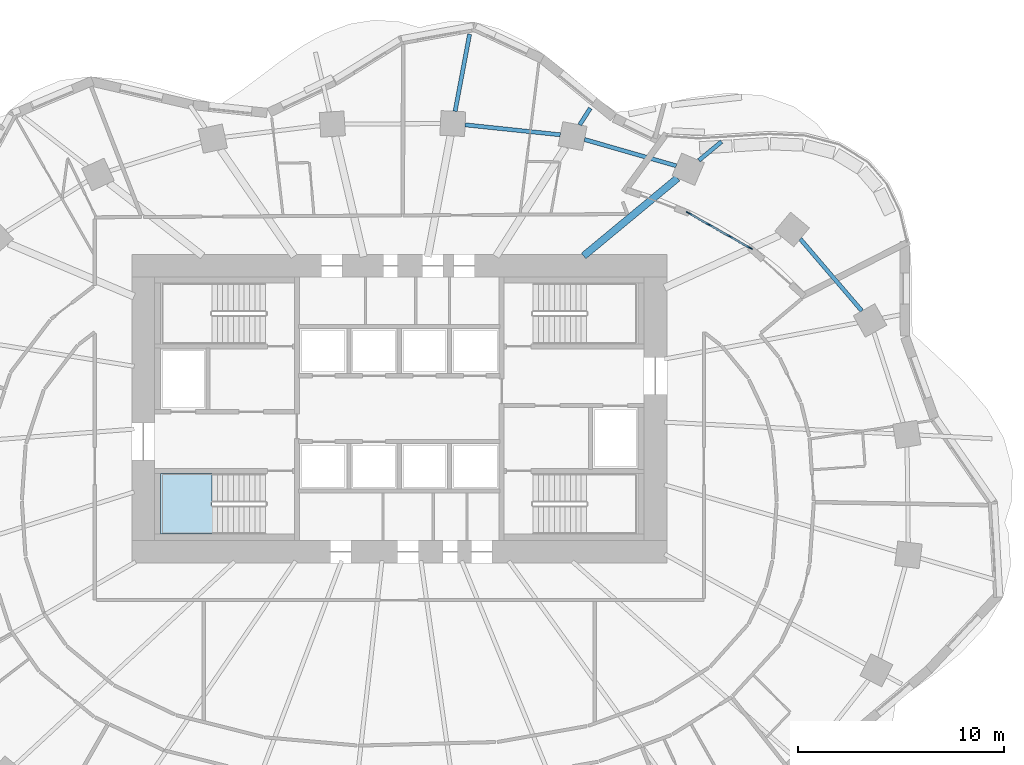
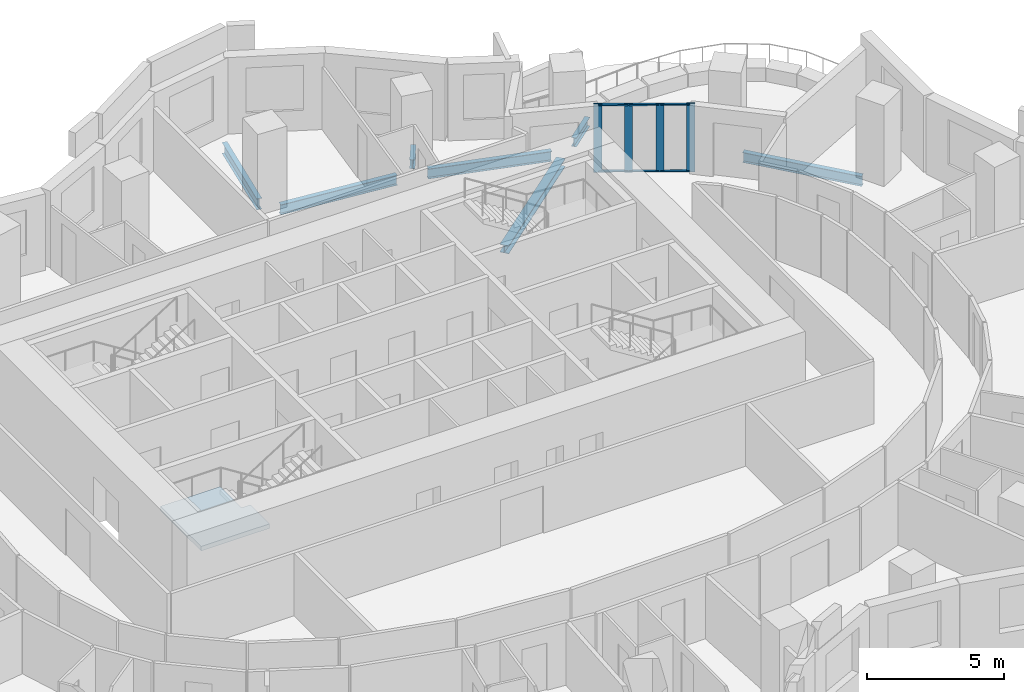
# One storey, part 3 of 14: 10 members, 7 beams, 1 slab, 2 elements without a shape of their own.
"""IFC4 building model written with IfcOpenShell, lengths in metres."""

import ifcopenshell
import ifcopenshell.guid

model = None  # the IFC model being written
_history = None  # IfcOwnerHistory: only IFC2X3 demands one
_inside = {}  # id of a spatial element -> (the spatial element, [elements in it])
_under = {}  # id of a project, library or spatial element -> (it, [spatial elements below it])
_declared = {}  # id of a project -> (the project, [libraries it declares])
_typed = {}  # id of a type object -> (the type object, [elements of that type])
_made_of = {}  # id of a material, layer set ... -> (it, [elements and type objects made of it])


def new_model(schema):
    """Start an empty IFC model of exactly this schema.

    Asked for "IFC4X3", IfcOpenShell would pick the latest addendum, in which some entities
    have other attributes; the version numbers below select the first issue.
    IFC2X3 requires an IfcOwnerHistory on every rooted entity: one is made here for all.
    """
    global model, _history
    if schema == "IFC4X3":
        model = ifcopenshell.file(schema_version=(4, 3, 0, 0))
    else:
        model = ifcopenshell.file(schema=schema)
    _inside.clear()
    _under.clear()
    _declared.clear()
    _typed.clear()
    _made_of.clear()
    _history = None
    if model.schema == "IFC2X3":
        org = make("IfcOrganization", Name="unknown")
        user = make(
            "IfcPersonAndOrganization",
            ThePerson=make("IfcPerson", FamilyName="unknown"),
            TheOrganization=org,
        )
        app = make(
            "IfcApplication",
            ApplicationDeveloper=org,
            Version="unknown",
            ApplicationFullName="unknown",
            ApplicationIdentifier="unknown",
        )
        _history = make(
            "IfcOwnerHistory",
            OwningUser=user,
            OwningApplication=app,
            ChangeAction="ADDED",
            CreationDate=0,
        )
    return model


def make(cls, **values):
    """One entity of the class cls with the attributes given. An attribute that is None is left unset."""
    return model.create_entity(
        cls, **{name: value for name, value in values.items() if value is not None}
    )


def rooted(cls, **values):
    """An entity with a GlobalId (a new one), such as an element, a storey or a relation."""
    return make(cls, GlobalId=ifcopenshell.guid.new(), OwnerHistory=_history, **values)


def si_unit(unit_type, name, prefix=None):
    """IfcSIUnit, for example si_unit("LENGTHUNIT", "METRE", prefix="MILLI")."""
    return make("IfcSIUnit", UnitType=unit_type, Prefix=prefix, Name=name)


def assignment(units):
    """IfcUnitAssignment: the units of a project."""
    return None if units is None else make("IfcUnitAssignment", Units=units)


def point(xyz):
    """IfcCartesianPoint."""
    return None if xyz is None else make("IfcCartesianPoint", Coordinates=xyz)


def direction(xyz):
    """IfcDirection."""
    return None if xyz is None else make("IfcDirection", DirectionRatios=xyz)


def frame(location, z_axis=None, x_axis=None):
    """IfcAxis2Placement3D, a coordinate frame: its origin and axes. An axis left out is left unset."""
    return make(
        "IfcAxis2Placement3D",
        Location=point(location),
        Axis=direction(z_axis),
        RefDirection=direction(x_axis),
    )


def frame_2d(location, x_axis=None):
    """IfcAxis2Placement2D, a coordinate frame in the plane: its origin and x axis."""
    return make(
        "IfcAxis2Placement2D", Location=point(location), RefDirection=direction(x_axis)
    )


def origin():
    """The frame at (0, 0, 0) with its axes left unset."""
    return frame((0.0, 0.0, 0.0))


def origin_2d():
    """The frame at (0, 0) in the plane with its x axis left unset."""
    return frame_2d((0.0, 0.0))


def place(relative_to, where):
    """IfcLocalPlacement: puts the frame where relative to a parent placement (None: the world)."""
    return make(
        "IfcLocalPlacement", PlacementRelTo=relative_to, RelativePlacement=where
    )


def context(
    kind, dimensions, precision=None, world=None, true_north=None, identifier=None
):
    """IfcGeometricRepresentationContext, for example the 3D "Model" context."""
    return make(
        "IfcGeometricRepresentationContext",
        ContextIdentifier=identifier,
        ContextType=kind,
        CoordinateSpaceDimension=dimensions,
        Precision=precision,
        WorldCoordinateSystem=world,
        TrueNorth=true_north,
    )


def subcontext(parent, identifier, kind, view, scale=None):
    """IfcGeometricRepresentationSubContext, for example "Body" below "Model"."""
    return make(
        "IfcGeometricRepresentationSubContext",
        ContextIdentifier=identifier,
        ContextType=kind,
        ParentContext=parent,
        TargetScale=scale,
        TargetView=view,
    )


def project(units=None, contexts=None):
    """IfcProject with its units and contexts."""
    return rooted(
        "IfcProject",
        Name="project",
        RepresentationContexts=contexts,
        UnitsInContext=assignment(units),
    )


def spatial(cls, under=None, at=None, **own):
    """A site, building, storey or space (cls), placed at a placement, below another one or the project."""
    s = rooted(cls, ObjectPlacement=at, **own)
    if under is not None:
        _under.setdefault(under.id(), (under, []))[1].append(s)
    return s


def polyline(points):
    """IfcPolyline through the points."""
    return make("IfcPolyline", Points=[point(p) for p in points])


def profile(cls, at=None, kind="AREA", **sizes):
    """A parametric profile (cls). Its sizes go by their IFC names, for example OverallWidth=200.0."""
    return make(cls, ProfileType=kind, Position=at, **sizes)


def rectangle(**sizes):
    """IfcRectangleProfileDef."""
    return profile("IfcRectangleProfileDef", **sizes)


def i_section(**sizes):
    """IfcIShapeProfileDef."""
    return profile("IfcIShapeProfileDef", **sizes)


def outline(outer, holes=None, kind="AREA"):
    """IfcArbitraryClosedProfileDef: a profile drawn as a closed curve; with holes, ...WithVoids."""
    if holes is None:
        return make("IfcArbitraryClosedProfileDef", ProfileType=kind, OuterCurve=outer)
    return make(
        "IfcArbitraryProfileDefWithVoids",
        ProfileType=kind,
        OuterCurve=outer,
        InnerCurves=holes,
    )


def extrude(swept, where, along, depth):
    """IfcExtrudedAreaSolid: the profile swept, set in the frame where, extruded along a direction by depth."""
    return make(
        "IfcExtrudedAreaSolid",
        SweptArea=swept,
        Position=where,
        ExtrudedDirection=direction(along),
        Depth=depth,
    )


def shape(context_of_items, identifier, shape_type, items):
    """IfcShapeRepresentation: the items that make up one representation, for example the "Body"."""
    return make(
        "IfcShapeRepresentation",
        ContextOfItems=context_of_items,
        RepresentationIdentifier=identifier,
        RepresentationType=shape_type,
        Items=items,
    )


def material(Name=None, Category=None):
    """IfcMaterial."""
    return make("IfcMaterial", Name=Name, Category=Category)


def layer(
    of_material, thickness, ventilated=None, Name=None, Category=None, Priority=None
):
    """IfcMaterialLayer: one layer of a wall or slab, of a material (None: an air gap)."""
    return make(
        "IfcMaterialLayer",
        Material=of_material,
        LayerThickness=thickness,
        IsVentilated=ventilated,
        Name=Name,
        Category=Category,
        Priority=Priority,
    )


def layer_set(layers, Name=None):
    """IfcMaterialLayerSet."""
    return make("IfcMaterialLayerSet", MaterialLayers=layers, LayerSetName=Name)


def material_profile(
    of_material, cross_section, Name=None, Category=None, Priority=None
):
    """IfcMaterialProfile: a cross section and its material."""
    return make(
        "IfcMaterialProfile",
        Name=Name,
        Material=of_material,
        Profile=cross_section,
        Priority=Priority,
        Category=Category,
    )


def profile_set(profiles, Name=None, composite=None):
    """IfcMaterialProfileSet."""
    return make(
        "IfcMaterialProfileSet",
        Name=Name,
        MaterialProfiles=profiles,
        CompositeProfile=composite,
    )


def made_of(thing, what):
    """Note that an element or type object is made of a material, layer set ...; save() writes the relation."""
    if what is not None:
        _made_of.setdefault(what.id(), (what, []))[1].append(thing)
    return thing


def type_object(cls, material=None, **own):
    """A type object (cls), such as IfcWallType, which elements share."""
    return made_of(rooted(cls, **own), material)


def element(
    cls,
    number,
    at=None,
    inside=None,
    cuts=None,
    type_object=None,
    material=None,
    context=None,
    identifier="Body",
    shape_type=None,
    held_by="IfcProductDefinitionShape",
    body=None,
    shapes=None,
    **own,
):
    """One element of the class cls, such as IfcWall. Its Tag is "e" and its number.

    at: its placement. inside: the storey or other place that contains it. cuts: it is an
    opening in that element (IfcRelVoidsElement). A single representation is given by context,
    identifier, shape_type and body (its items); several are given by shapes. held_by: the class
    of the entity that holds the representations. save() writes the other relations.
    """
    e = rooted(cls, Tag="e%d" % number, ObjectPlacement=at, **own)
    if body is not None:
        shapes = [shape(context, identifier, shape_type, body)]
    if shapes is not None:
        e.Representation = make(held_by, Representations=shapes)
    if inside is not None:
        _inside.setdefault(inside.id(), (inside, []))[1].append(e)
    if cuts is not None:
        rooted(
            "IfcRelVoidsElement", RelatingBuildingElement=cuts, RelatedOpeningElement=e
        )
    if type_object is not None:
        _typed.setdefault(type_object.id(), (type_object, []))[1].append(e)
    return made_of(e, material)


def aggregate(whole, parts):
    """IfcRelAggregates: a whole, such as a stair, and the parts it consists of."""
    return rooted("IfcRelAggregates", RelatingObject=whole, RelatedObjects=parts)


def save(model, path):
    """Write the relations noted so far, then the file.

    IfcRelAggregates (storeys below a building ...), IfcRelContainedInSpatialStructure (elements
    in a storey), IfcRelDefinesByType, IfcRelAssociatesMaterial and IfcRelDeclares: one each for
    every whole, place, type object, material and project.
    """
    for whole, parts in _under.values():
        aggregate(whole, parts)
    for where, things in _inside.values():
        rooted(
            "IfcRelContainedInSpatialStructure",
            RelatedElements=things,
            RelatingStructure=where,
        )
    for kind, things in _typed.values():
        rooted("IfcRelDefinesByType", RelatedObjects=things, RelatingType=kind)
    for what, things in _made_of.values():
        rooted("IfcRelAssociatesMaterial", RelatedObjects=things, RelatingMaterial=what)
    for by, libraries in _declared.values():
        rooted("IfcRelDeclares", RelatingContext=by, RelatedDefinitions=libraries)
    model.write(path)


model = new_model("IFC4")

# Units and contexts
model_context = context("Model", 3, precision=1e-05, world=origin(), true_north=direction((0.0, 1.0)))
body_context = subcontext(model_context, "Body", "Model", "MODEL_VIEW")
ifc_project = project(units=[si_unit("LENGTHUNIT", "METRE"), si_unit("AREAUNIT", "SQUARE_METRE"), si_unit("VOLUMEUNIT", "CUBIC_METRE"), si_unit("PLANEANGLEUNIT", "RADIAN"), si_unit("MASSUNIT", "GRAM", prefix="KILO")], contexts=[model_context])

# Site, building, storey
site_placement = place(None, origin())
site = spatial("IfcSite", under=ifc_project, at=site_placement, CompositionType="ELEMENT")
building_placement = place(site_placement, origin())
building = spatial("IfcBuilding", under=site, at=building_placement, Name="Rubra Terraces Tower", CompositionType="ELEMENT")
storey_placement = place(building_placement, frame((0.0, 0.0, 103.199951171875)))
storey = spatial("IfcBuildingStorey", under=building, at=storey_placement, Name="L24", CompositionType="ELEMENT", Elevation=103.199951171875)

# Beams
ifc_material_1 = material(Name="Steel Q355B", Category="steel")
ifc_material_profile_1 = material_profile(ifc_material_1, i_section(OverallWidth=0.198974609375, OverallDepth=0.49609375, WebThickness=0.009033203125, FlangeThickness=0.013916015625, at=origin_2d()), Name="HN 496x199x9x14")
ifc_profile_set_1 = profile_set([ifc_material_profile_1], Name="Steel Q355B")
beam_type_1 = type_object("IfcBeamType", Name="CANTILEVER BEAM HN 496x199x9x14", PredefinedType="BEAM", material=ifc_profile_set_1)
beam_1_placement = place(storey_placement, frame((2.714111328125, 18.952880859375, -0.447998046875), z_axis=(0.184412291305, 0.982848974571, 0.0), x_axis=(-0.982848974571, 0.184412291305, 0.0)))
element("IfcBeam", 1, at=beam_1_placement, inside=storey, type_object=beam_type_1, Name="beam-L24-cant-06", PredefinedType="BEAM", context=body_context, shape_type="SweptSolid", body=[
    extrude(i_section(OverallWidth=0.198974609375, OverallDepth=0.49609375, WebThickness=0.009033203125, FlangeThickness=0.013916015625, at=origin_2d()), origin(), (0.0, 0.0, 1.0), 3.8115234375),
])
ifc_material_profile_2 = material_profile(ifc_material_1, i_section(OverallWidth=0.199951171875, OverallDepth=0.39990234375, WebThickness=0.008056640625, FlangeThickness=0.012939453125, at=origin_2d()), Name="HN 400x200x8x13")
ifc_profile_set_2 = profile_set([ifc_material_profile_2], Name="Steel Q355B")
beam_type_2 = type_object("IfcBeamType", Name="CANTILEVER STUB HN 400x200x8x13", PredefinedType="BEAM", material=ifc_profile_set_2)
beam_2_placement = place(storey_placement, frame((14.56201171875, 16.56689453125, -0.39990234375), z_axis=(0.769803051862, 0.63828149068, 0.0), x_axis=(-0.63828149068, 0.769803051862, 0.0)))
element("IfcBeam", 2, at=beam_2_placement, inside=storey, type_object=beam_type_2, Name="beam-L24-cant-04", PredefinedType="BEAM", context=body_context, shape_type="SweptSolid", body=[
    extrude(i_section(OverallWidth=0.199951171875, OverallDepth=0.39990234375, WebThickness=0.008056640625, FlangeThickness=0.012939453125, at=origin_2d()), origin(), (0.0, 0.0, 1.0), 1.427490234375),
])
beam_3_placement = place(storey_placement, frame((8.76806640625, 18.29296875, -0.39990234375), z_axis=(0.536431047595, 0.843944151693, 0.0), x_axis=(-0.843944151693, 0.536431047595, 0.0)))
element("IfcBeam", 3, at=beam_3_placement, inside=storey, type_object=beam_type_2, Name="beam-L24-cant-05", PredefinedType="BEAM", context=body_context, shape_type="SweptSolid", body=[
    extrude(i_section(OverallWidth=0.199951171875, OverallDepth=0.39990234375, WebThickness=0.008056640625, FlangeThickness=0.012939453125, at=origin_2d()), origin(), (0.0, 0.0, 1.0), 0.9599609375),
])
ifc_material_profile_3 = material_profile(ifc_material_1, i_section(OverallWidth=0.35009765625, OverallDepth=0.35009765625, WebThickness=0.011962890625, FlangeThickness=0.01904296875, at=origin_2d()), Name="HW 350x350x12x19")
ifc_profile_set_3 = profile_set([ifc_material_profile_3], Name="Steel Q355B")
beam_type_3 = type_object("IfcBeamType", Name="FLOOR BEAM HW 350x350x12x19", PredefinedType="BEAM", material=ifc_profile_set_3)
beam_4_placement = place(storey_placement, frame((13.52197265625, 15.705078125, -0.375), z_axis=(-0.769987448283, -0.638059032917, 0.0), x_axis=(0.638059032917, -0.769987448283, 0.0)))
element("IfcBeam", 4, at=beam_4_placement, inside=storey, type_object=beam_type_3, Name="beam-L24-floor-04", PredefinedType="BEAM", context=body_context, shape_type="SweptSolid", body=[
    extrude(i_section(OverallWidth=0.35009765625, OverallDepth=0.35009765625, WebThickness=0.011962890625, FlangeThickness=0.01904296875, at=origin_2d()), origin(), (0.0, 0.0, 1.0), 5.92724609375),
])
ifc_material_profile_4 = material_profile(ifc_material_1, i_section(OverallWidth=0.198974609375, OverallDepth=0.446044921875, WebThickness=0.008056640625, FlangeThickness=0.011962890625, at=origin_2d()), Name="HN 446x199x8x12")
ifc_profile_set_4 = profile_set([ifc_material_profile_4], Name="Steel Q355B")
beam_type_4 = type_object("IfcBeamType", Name="SPANDREL BEAM HN 446x199x8x12", PredefinedType="SPANDREL", material=ifc_profile_set_4)
beam_5_placement = place(storey_placement, frame((22.48095703125, 9.251953125, -0.4228515625), z_axis=(-0.650428637413, 0.759567368726, 0.0), x_axis=(-0.759567368726, -0.650428637413, 0.0)))
element("IfcBeam", 5, at=beam_5_placement, inside=storey, type_object=beam_type_4, Name="beam-L24-spandrel-02", PredefinedType="SPANDREL", context=body_context, shape_type="SweptSolid", body=[
    extrude(i_section(OverallWidth=0.198974609375, OverallDepth=0.446044921875, WebThickness=0.008056640625, FlangeThickness=0.011962890625, at=origin_2d()), origin(), (0.0, 0.0, 1.0), 4.6015625),
])
beam_6_placement = place(storey_placement, frame((13.4609375, 16.302978515625, -0.4228515625), z_axis=(-0.961195652649, 0.275867572085, 0.0), x_axis=(-0.275867572085, -0.961195652649, 0.0)))
element("IfcBeam", 6, at=beam_6_placement, inside=storey, type_object=beam_type_4, Name="beam-L24-spandrel-04", PredefinedType="SPANDREL", context=body_context, shape_type="SweptSolid", body=[
    extrude(i_section(OverallWidth=0.198974609375, OverallDepth=0.446044921875, WebThickness=0.008056640625, FlangeThickness=0.011962890625, at=origin_2d()), origin(), (0.0, 0.0, 1.0), 4.639892578125),
])
beam_7_placement = place(storey_placement, frame((7.822998046875, 17.81201171875, -0.4228515625), z_axis=(-0.994588599148, 0.103891859374, 0.0), x_axis=(-0.103891859374, -0.994588599148, 0.0)))
element("IfcBeam", 7, at=beam_7_placement, inside=storey, type_object=beam_type_4, Name="beam-L24-spandrel-05", PredefinedType="SPANDREL", context=body_context, shape_type="SweptSolid", body=[
    extrude(i_section(OverallWidth=0.198974609375, OverallDepth=0.446044921875, WebThickness=0.008056640625, FlangeThickness=0.011962890625, at=origin_2d()), origin(), (0.0, 0.0, 1.0), 4.648193359375),
])

# Curtain wall, members
ifc_material_2 = material(Name="Aluminium and glass", Category="aluminium")
curtain_wall_type = type_object("IfcCurtainWallType", Name="Curtain wall Terrace glazing", PredefinedType="NOTDEFINED", material=ifc_material_2)
curtain_wall_placement = place(storey_placement, origin())
curtain_wall = element("IfcCurtainWall", 8, at=curtain_wall_placement, inside=storey, type_object=curtain_wall_type, Name="Terrace glazing L24", PredefinedType="NOTDEFINED")
ifc_material_3 = material(Name="Aluminium, anodised dark grey", Category="aluminium")
ifc_material_profile_5 = material_profile(ifc_material_3, rectangle(XDim=0.050048828125, YDim=0.300048828125, at=origin_2d()), Name="AL 50x300")
ifc_profile_set_5 = profile_set([ifc_material_profile_5], Name="Aluminium, anodised dark grey")
member_type_1 = type_object("IfcMemberType", Name="Terrace glazing mullion 50 x 300", PredefinedType="MULLION", material=ifc_profile_set_5)
member_1_placement = place(storey_placement, frame((17.0263671875, 12.32177734375, 0.0), z_axis=(0.0, 0.0, 1.0), x_axis=(-0.493534092525, -0.869726450969, 0.0)))
member_1 = element("IfcMember", 9, at=member_1_placement, type_object=member_type_1, Name="CW3 mullion 1", PredefinedType="MULLION", context=body_context, shape_type="SweptSolid", body=[
    extrude(rectangle(XDim=0.050048828125, YDim=0.300048828125, at=origin_2d()), origin(), (0.0, 0.0, 1.0), 3.050048828125),
])
member_2_placement = place(storey_placement, frame((16.05224609375, 12.87451171875, 0.0), z_axis=(0.0, 0.0, 1.0), x_axis=(-0.493534092525, -0.869726450969, 0.0)))
member_2 = element("IfcMember", 10, at=member_2_placement, type_object=member_type_1, Name="CW3 mullion 2", PredefinedType="MULLION", context=body_context, shape_type="SweptSolid", body=[
    extrude(rectangle(XDim=0.050048828125, YDim=0.300048828125, at=origin_2d()), origin(), (0.0, 0.0, 1.0), 3.050048828125),
])
member_3_placement = place(storey_placement, frame((15.056640625, 13.439453125, 0.0), z_axis=(0.0, 0.0, 1.0), x_axis=(-0.493534092525, -0.869726450969, 0.0)))
member_3 = element("IfcMember", 11, at=member_3_placement, type_object=member_type_1, Name="CW3 mullion 3", PredefinedType="MULLION", context=body_context, shape_type="SweptSolid", body=[
    extrude(rectangle(XDim=0.050048828125, YDim=0.300048828125, at=origin_2d()), origin(), (0.0, 0.0, 1.0), 3.050048828125),
])
member_4_placement = place(storey_placement, frame((14.082763671875, 13.9921875, 0.0), z_axis=(0.0, 0.0, 1.0), x_axis=(-0.493534092525, -0.869726450969, 0.0)))
member_4 = element("IfcMember", 12, at=member_4_placement, type_object=member_type_1, Name="CW3 mullion 4", PredefinedType="MULLION", context=body_context, shape_type="SweptSolid", body=[
    extrude(rectangle(XDim=0.050048828125, YDim=0.300048828125, at=origin_2d()), origin(), (0.0, 0.0, 1.0), 3.050048828125),
])
ifc_material_profile_6 = material_profile(ifc_material_3, rectangle(XDim=0.10009765625, YDim=0.050048828125, at=origin_2d()), Name="AL 100x50")
ifc_profile_set_6 = profile_set([ifc_material_profile_6], Name="Aluminium, anodised dark grey")
member_type_2 = type_object("IfcMemberType", Name="Terrace glazing transom 100 x 50", PredefinedType="USERDEFINED", material=ifc_profile_set_6)
member_5_placement = place(storey_placement, frame((17.00439453125, 12.334228515625, 0.050048828125), z_axis=(-0.869783873008, 0.493432887285, 0.0), x_axis=(-0.493432887285, -0.869783873008, 0.0)))
member_5 = element("IfcMember", 13, at=member_5_placement, type_object=member_type_2, Name="CW3 transom 1.1", ObjectType="TRANSOM", PredefinedType="USERDEFINED", context=body_context, shape_type="SweptSolid", body=[
    extrude(rectangle(XDim=0.10009765625, YDim=0.050048828125, at=origin_2d()), origin(), (0.0, 0.0, 1.0), 1.06982421875),
])
member_6_placement = place(storey_placement, frame((17.00439453125, 12.334228515625, 3.0), z_axis=(-0.869783873008, 0.493432887285, 0.0), x_axis=(-0.493432887285, -0.869783873008, 0.0)))
member_6 = element("IfcMember", 14, at=member_6_placement, type_object=member_type_2, Name="CW3 transom 1.2", ObjectType="TRANSOM", PredefinedType="USERDEFINED", context=body_context, shape_type="SweptSolid", body=[
    extrude(rectangle(XDim=0.10009765625, YDim=0.050048828125, at=origin_2d()), origin(), (0.0, 0.0, 1.0), 1.06982421875),
])
member_7_placement = place(storey_placement, frame((16.030517578125, 12.88671875, 0.050048828125), z_axis=(-0.869639343343, 0.493687565683, 0.0), x_axis=(-0.493687565683, -0.869639343343, 0.0)))
member_7 = element("IfcMember", 15, at=member_7_placement, type_object=member_type_2, Name="CW3 transom 2.1", ObjectType="TRANSOM", PredefinedType="USERDEFINED", context=body_context, shape_type="SweptSolid", body=[
    extrude(rectangle(XDim=0.10009765625, YDim=0.050048828125, at=origin_2d()), origin(), (0.0, 0.0, 1.0), 1.094970703125),
])
member_8_placement = place(storey_placement, frame((16.030517578125, 12.88671875, 3.0), z_axis=(-0.869639343343, 0.493687565683, 0.0), x_axis=(-0.493687565683, -0.869639343343, 0.0)))
member_8 = element("IfcMember", 16, at=member_8_placement, type_object=member_type_2, Name="CW3 transom 2.2", ObjectType="TRANSOM", PredefinedType="USERDEFINED", context=body_context, shape_type="SweptSolid", body=[
    extrude(rectangle(XDim=0.10009765625, YDim=0.050048828125, at=origin_2d()), origin(), (0.0, 0.0, 1.0), 1.094970703125),
])
member_9_placement = place(storey_placement, frame((15.034912109375, 13.451904296875, 0.050048828125), z_axis=(-0.869783873008, 0.493432887285, 0.0), x_axis=(-0.493432887285, -0.869783873008, 0.0)))
member_9 = element("IfcMember", 17, at=member_9_placement, type_object=member_type_2, Name="CW3 transom 3.1", ObjectType="TRANSOM", PredefinedType="USERDEFINED", context=body_context, shape_type="SweptSolid", body=[
    extrude(rectangle(XDim=0.10009765625, YDim=0.050048828125, at=origin_2d()), origin(), (0.0, 0.0, 1.0), 1.06982421875),
])
member_10_placement = place(storey_placement, frame((15.034912109375, 13.451904296875, 3.0), z_axis=(-0.869783873008, 0.493432887285, 0.0), x_axis=(-0.493432887285, -0.869783873008, 0.0)))
member_10 = element("IfcMember", 18, at=member_10_placement, type_object=member_type_2, Name="CW3 transom 3.2", ObjectType="TRANSOM", PredefinedType="USERDEFINED", context=body_context, shape_type="SweptSolid", body=[
    extrude(rectangle(XDim=0.10009765625, YDim=0.050048828125, at=origin_2d()), origin(), (0.0, 0.0, 1.0), 1.06982421875),
])
aggregate(curtain_wall, [member_1, member_2, member_3, member_4, member_5, member_6, member_7, member_8, member_9, member_10])

# Stair, slab
ifc_material_4 = material(Name="Concrete C40", Category="concrete")
stair_type = type_object("IfcStairType", Name="Core stair 1400", PredefinedType="HALF_TURN_STAIR", material=ifc_material_4)
stair_placement = place(storey_placement, origin())
stair = element("IfcStair", 19, at=stair_placement, inside=storey, type_object=stair_type, Name="L24 Exit stair S1", PredefinedType="HALF_TURN_STAIR")
ifc_layer = layer(ifc_material_4, 0.199951171875)
ifc_layer_set = layer_set([ifc_layer], Name="Concrete C40")
slab_type = type_object("IfcSlabType", Name="Core stair landing 200", PredefinedType="LANDING", material=ifc_layer_set)
slab_placement = place(storey_placement, frame((0.0, 0.0, 1.60009765625)))
slab = element("IfcSlab", 20, at=slab_placement, type_object=slab_type, Name="S1 landing 1", PredefinedType="LANDING", context=body_context, shape_type="SweptSolid", body=[
    extrude(outline(polyline([(-8.719970703125, -0.199951171875), (-8.719970703125, -1.60009765625), (-9.10009765625, -1.60009765625), (-9.1201171875, -1.60009765625), (-11.60009765625, -1.60009765625), (-11.60009765625, 1.35009765625), (-9.1201171875, 1.35009765625), (-9.097900390625, 1.35009765625), (-9.097900390625, -0.050048828125), (-9.10009765625, -0.050048828125), (-9.10009765625, -0.199951171875), (-8.719970703125, -0.199951171875)])), origin(), (0.0, 0.0, 1.0), 0.199951171875),
])
aggregate(stair, [slab])

save(model, "model.ifc")
